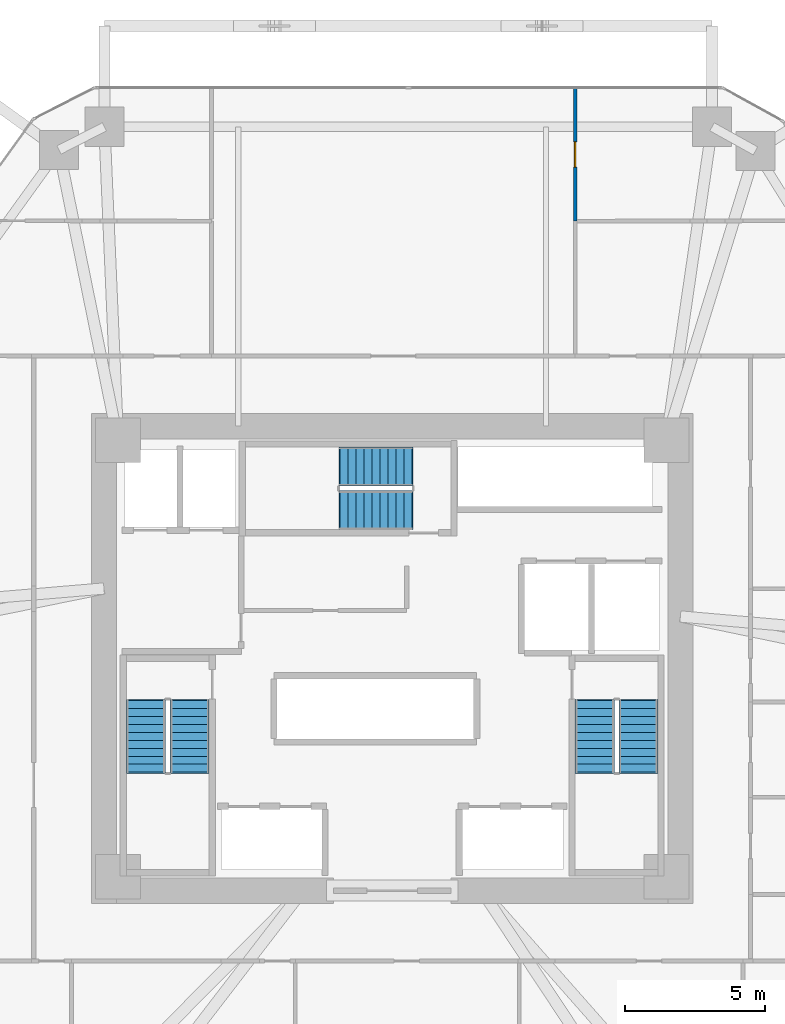
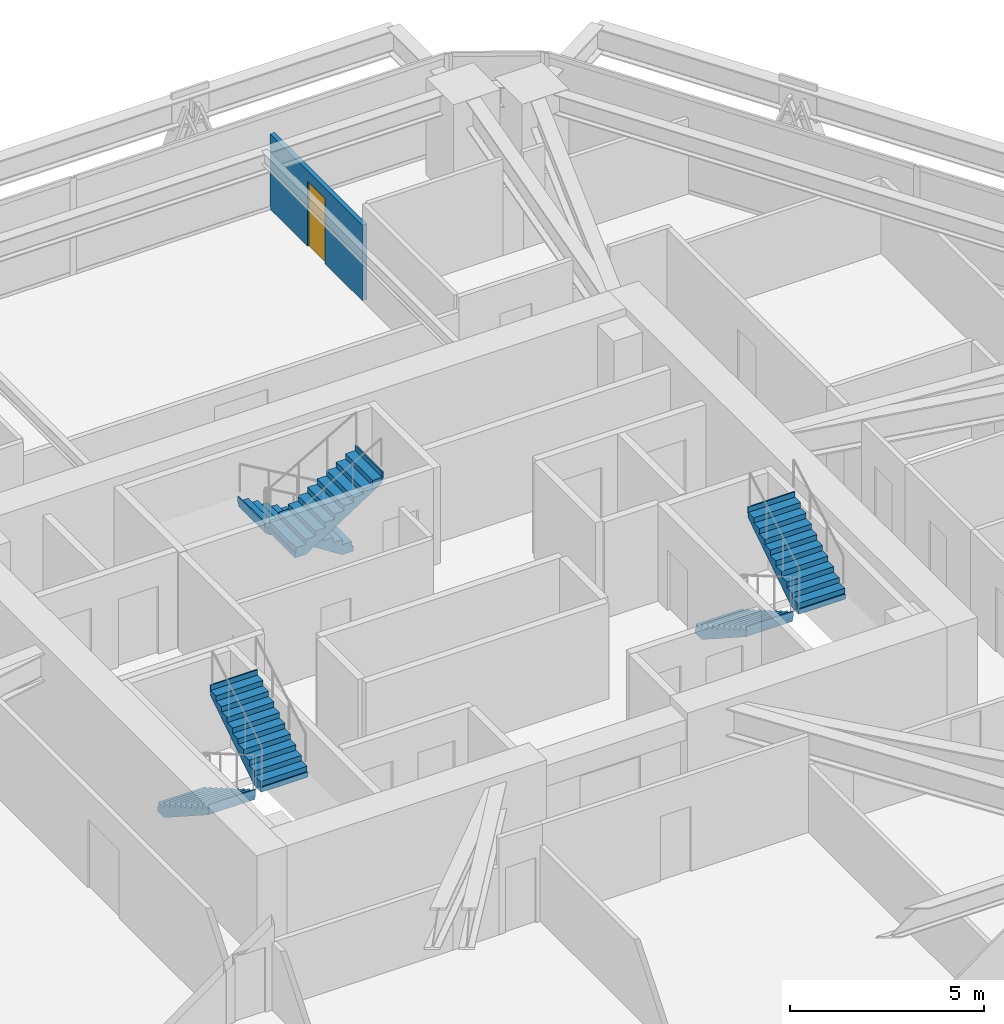
# One storey, part 16 of 17: 6 stair flights, 1 door, 1 wall, 1 opening, 3 elements without a shape of their own.
"""IFC4 building model written with IfcOpenShell, lengths in metres."""

from ifc_helpers import new_model, si_unit, direction, frame, frame_2d, origin, place, context, subcontext, project, spatial, polyline, rectangle, outline, extrude, source, transform, mapped, material, layer, layer_set, type_object, type_shapes, element, fill, aggregate, save


model = new_model("IFC4")

# Units and contexts
model_context = context("Model", 3, precision=1e-05, world=origin(), true_north=direction((0.0, 1.0)))
body_context = subcontext(model_context, "Body", "Model", "MODEL_VIEW")
ifc_project = project(units=[si_unit("LENGTHUNIT", "METRE"), si_unit("AREAUNIT", "SQUARE_METRE"), si_unit("VOLUMEUNIT", "CUBIC_METRE"), si_unit("PLANEANGLEUNIT", "RADIAN"), si_unit("MASSUNIT", "GRAM", prefix="KILO")], contexts=[model_context])

# Site, building, storey
site_placement = place(None, origin())
site = spatial("IfcSite", under=ifc_project, at=site_placement, CompositionType="ELEMENT")
building_placement = place(site_placement, origin())
building = spatial("IfcBuilding", under=site, at=building_placement, Name="Durnholm Broadcast Tower", CompositionType="ELEMENT")
storey_placement = place(building_placement, frame((0.0, 0.0, 58.800048828125)))
storey = spatial("IfcBuildingStorey", under=building, at=storey_placement, Name="L14", CompositionType="ELEMENT", Elevation=58.800048828125)

# Wall, opening, door
ifc_material_1 = material(Name="Gypsum Metal Stud Partition", Category="concrete")
ifc_layer_1 = layer(ifc_material_1, 0.135009765625)
ifc_layer_set_1 = layer_set([ifc_layer_1], Name="Gypsum Metal Stud Partition")
wall_type = type_object("IfcWallType", Name="WALL-PART-135", PredefinedType="PARTITIONING", material=ifc_layer_set_1)
wall_placement = place(storey_placement, frame((6.5400390625, 20.39990234375, 0.0), z_axis=(0.0, 0.0, 1.0), x_axis=(0.0, -1.0, 0.0)))
wall = element("IfcWall", 1, at=wall_placement, inside=storey, type_object=wall_type, Name="L14 room dividing partition 7.9", PredefinedType="PARTITIONING", context=body_context, shape_type="SweptSolid", body=[
    extrude(rectangle(XDim=4.77490234375, YDim=0.135009765625, at=frame_2d((2.387451171875, 0.0))), origin(), (0.0, 0.0, 1.0), 2.3798828125),
])
opening_placement = place(wall_placement, frame((1.9375, 0.0, 0.0)))
opening = element("IfcOpeningElement", 2, at=opening_placement, cuts=wall, Name="Opening DW-90L", PredefinedType="OPENING", context=body_context, shape_type="SweptSolid", body=[
    extrude(rectangle(XDim=0.89990234375, YDim=2.050048828125, at=frame_2d((0.449951171875, 1.02490234375))), frame((0.0, 0.07763671875, 0.0), z_axis=(0.0, -1.0, 0.0), x_axis=(1.0, 0.0, 0.0)), (0.0, 0.0, 1.0), 0.155029296875),
])
ifc_material_2 = material(Name="Laminate Restroom Door", Category="steel")
ifc_layer_2 = layer(ifc_material_2, 0.050048828125)
ifc_layer_set_2 = layer_set([ifc_layer_2], Name="Laminate Restroom Door")
door_type = type_object("IfcDoorType", Name="DOOR-WC-900L", OperationType="NOTDEFINED", PredefinedType="DOOR", material=ifc_layer_set_2)
shared_shape = source(origin(), body_context, "Body", "SweptSolid", [
    extrude(rectangle(XDim=0.89990234375, YDim=2.050048828125, at=frame_2d((0.449951171875, 1.02490234375))), frame((0.0, 0.02490234375, 0.0), z_axis=(0.0, -1.0, 0.0), x_axis=(1.0, 0.0, 0.0)), (0.0, 0.0, 1.0), 0.050048828125),
])
type_shapes(door_type, [shared_shape])
door_placement = place(opening_placement, origin())
door = element("IfcDoor", 3, at=door_placement, inside=storey, type_object=door_type, Name="L14 Broadcast Kitchen connecting door", OperationType="SINGLE_SWING_LEFT", OverallHeight=2.050048828125, OverallWidth=0.89990234375, PredefinedType="DOOR", context=body_context, shape_type="MappedRepresentation", body=[
    mapped(shared_shape, transform((0.0, 0.0, 0.0), x_axis=(1.0, 0.0, 0.0), y_axis=(0.0, 1.0, 0.0), z_axis=(0.0, 0.0, 1.0), scale=1.0)),
])
fill(opening, door)

# Stair, stair flights
ifc_material_3 = material(Name="Concrete C50/60", Category="concrete")
stair_type = type_object("IfcStairType", Name="STAIR-DL-20R1650", PredefinedType="HALF_TURN_STAIR", material=ifc_material_3)
stair_1_placement = place(storey_placement, origin())
stair_1 = element("IfcStair", 4, at=stair_1_placement, inside=storey, type_object=stair_type, Name="L14 ST-1", PredefinedType="HALF_TURN_STAIR")
stair_flight_type = type_object("IfcStairFlightType", Name="FLIGHT-DL-20R1650", PredefinedType="STRAIGHT", material=ifc_material_3)
stair_flight_1_placement = place(storey_placement, frame((-8.800048828125, -1.5, 0.0), z_axis=(0.0, 0.0, 1.0), x_axis=(0.0, -1.0, 0.0)))
stair_flight_1 = element("IfcStairFlight", 5, at=stair_flight_1_placement, type_object=stair_flight_type, Name="ST-1 flight 1", NumberOfRisers=10, NumberOfTreads=9, PredefinedType="STRAIGHT", RiserHeight=0.165, TreadLength=0.285, context=body_context, shape_type="SweptSolid", body=[
    extrude(outline(polyline([(-0.0400390625, -0.14990234375), (-0.0400390625, 0.0), (0.0, 0.0), (0.0, 0.1650390625), (0.284912109375, 0.1650390625), (0.284912109375, 0.330078125), (0.570068359375, 0.330078125), (0.570068359375, 0.4951171875), (0.85498046875, 0.4951171875), (0.85498046875, 0.659912109375), (1.139892578125, 0.659912109375), (1.139892578125, 0.824951171875), (1.425048828125, 0.824951171875), (1.425048828125, 0.989990234375), (1.7099609375, 0.989990234375), (1.7099609375, 1.155029296875), (1.9951171875, 1.155029296875), (1.9951171875, 1.320068359375), (2.280029296875, 1.320068359375), (2.280029296875, 1.485107421875), (2.56494140625, 1.485107421875), (2.56494140625, 1.64990234375), (2.60498046875, 1.64990234375), (2.60498046875, 1.5), (2.56494140625, 1.311767578125), (0.299072265625, -0.14990234375), (-0.0400390625, -0.14990234375)])), frame((0.0, 0.699951171875, 0.0), z_axis=(0.0, -1.0, 0.0), x_axis=(1.0, 0.0, 0.0)), (0.0, 0.0, 1.0), 1.39990234375),
])
stair_flight_2_placement = place(storey_placement, frame((-7.239990234375, -4.06494140625, 1.64990234375), z_axis=(0.0, 0.0, 1.0), x_axis=(0.0, 1.0, 0.0)))
stair_flight_2 = element("IfcStairFlight", 6, at=stair_flight_2_placement, type_object=stair_flight_type, Name="ST-1 flight 2", NumberOfRisers=10, NumberOfTreads=9, PredefinedType="STRAIGHT", RiserHeight=0.165, TreadLength=0.285, context=body_context, shape_type="SweptSolid", body=[
    extrude(outline(polyline([(-0.0400390625, -0.14990234375), (-0.0400390625, 0.0), (0.0, 0.0), (0.0, 0.1650390625), (0.284912109375, 0.1650390625), (0.284912109375, 0.330078125), (0.570068359375, 0.330078125), (0.570068359375, 0.4951171875), (0.85498046875, 0.4951171875), (0.85498046875, 0.659912109375), (1.139892578125, 0.659912109375), (1.139892578125, 0.824951171875), (1.425048828125, 0.824951171875), (1.425048828125, 0.989990234375), (1.7099609375, 0.989990234375), (1.7099609375, 1.155029296875), (1.9951171875, 1.155029296875), (1.9951171875, 1.320068359375), (2.280029296875, 1.320068359375), (2.280029296875, 1.485107421875), (2.56494140625, 1.485107421875), (2.56494140625, 1.64990234375), (2.60498046875, 1.64990234375), (2.60498046875, 1.5), (2.56494140625, 1.311767578125), (0.299072265625, -0.14990234375), (-0.0400390625, -0.14990234375)])), frame((0.0, 0.699951171875, 0.0), z_axis=(0.0, -1.0, 0.0), x_axis=(1.0, 0.0, 0.0)), (0.0, 0.0, 1.0), 1.39990234375),
])
aggregate(stair_1, [stair_flight_1, stair_flight_2])

stair_2_placement = place(storey_placement, origin())
stair_2 = element("IfcStair", 7, at=stair_2_placement, inside=storey, type_object=stair_type, Name="L14 ST-2", PredefinedType="HALF_TURN_STAIR")
stair_flight_3_placement = place(storey_placement, frame((7.239990234375, -1.5, 0.0), z_axis=(0.0, 0.0, 1.0), x_axis=(0.0, -1.0, 0.0)))
stair_flight_3 = element("IfcStairFlight", 8, at=stair_flight_3_placement, type_object=stair_flight_type, Name="ST-2 flight 1", NumberOfRisers=10, NumberOfTreads=9, PredefinedType="STRAIGHT", RiserHeight=0.165, TreadLength=0.285, context=body_context, shape_type="SweptSolid", body=[
    extrude(outline(polyline([(-0.0400390625, -0.14990234375), (-0.0400390625, 0.0), (0.0, 0.0), (0.0, 0.1650390625), (0.284912109375, 0.1650390625), (0.284912109375, 0.330078125), (0.570068359375, 0.330078125), (0.570068359375, 0.4951171875), (0.85498046875, 0.4951171875), (0.85498046875, 0.659912109375), (1.139892578125, 0.659912109375), (1.139892578125, 0.824951171875), (1.425048828125, 0.824951171875), (1.425048828125, 0.989990234375), (1.7099609375, 0.989990234375), (1.7099609375, 1.155029296875), (1.9951171875, 1.155029296875), (1.9951171875, 1.320068359375), (2.280029296875, 1.320068359375), (2.280029296875, 1.485107421875), (2.56494140625, 1.485107421875), (2.56494140625, 1.64990234375), (2.60498046875, 1.64990234375), (2.60498046875, 1.5), (2.56494140625, 1.311767578125), (0.299072265625, -0.14990234375), (-0.0400390625, -0.14990234375)])), frame((0.0, 0.699951171875, 0.0), z_axis=(0.0, -1.0, 0.0), x_axis=(1.0, 0.0, 0.0)), (0.0, 0.0, 1.0), 1.39990234375),
])
stair_flight_4_placement = place(storey_placement, frame((8.800048828125, -4.06494140625, 1.64990234375), z_axis=(0.0, 0.0, 1.0), x_axis=(0.0, 1.0, 0.0)))
stair_flight_4 = element("IfcStairFlight", 9, at=stair_flight_4_placement, type_object=stair_flight_type, Name="ST-2 flight 2", NumberOfRisers=10, NumberOfTreads=9, PredefinedType="STRAIGHT", RiserHeight=0.165, TreadLength=0.285, context=body_context, shape_type="SweptSolid", body=[
    extrude(outline(polyline([(-0.0400390625, -0.14990234375), (-0.0400390625, 0.0), (0.0, 0.0), (0.0, 0.1650390625), (0.284912109375, 0.1650390625), (0.284912109375, 0.330078125), (0.570068359375, 0.330078125), (0.570068359375, 0.4951171875), (0.85498046875, 0.4951171875), (0.85498046875, 0.659912109375), (1.139892578125, 0.659912109375), (1.139892578125, 0.824951171875), (1.425048828125, 0.824951171875), (1.425048828125, 0.989990234375), (1.7099609375, 0.989990234375), (1.7099609375, 1.155029296875), (1.9951171875, 1.155029296875), (1.9951171875, 1.320068359375), (2.280029296875, 1.320068359375), (2.280029296875, 1.485107421875), (2.56494140625, 1.485107421875), (2.56494140625, 1.64990234375), (2.60498046875, 1.64990234375), (2.60498046875, 1.5), (2.56494140625, 1.311767578125), (0.299072265625, -0.14990234375), (-0.0400390625, -0.14990234375)])), frame((0.0, 0.699951171875, 0.0), z_axis=(0.0, -1.0, 0.0), x_axis=(1.0, 0.0, 0.0)), (0.0, 0.0, 1.0), 1.39990234375),
])
aggregate(stair_2, [stair_flight_3, stair_flight_4])

stair_3_placement = place(storey_placement, origin())
stair_3 = element("IfcStair", 10, at=stair_3_placement, inside=storey, type_object=stair_type, Name="L14 ST-3", PredefinedType="HALF_TURN_STAIR")
stair_flight_5_placement = place(storey_placement, frame((0.699951171875, 6.860107421875, 0.0), z_axis=(0.0, 0.0, 1.0), x_axis=(-1.0, 0.0, 0.0)))
stair_flight_5 = element("IfcStairFlight", 11, at=stair_flight_5_placement, type_object=stair_flight_type, Name="ST-3 flight 1", NumberOfRisers=10, NumberOfTreads=9, PredefinedType="STRAIGHT", RiserHeight=0.165, TreadLength=0.285, context=body_context, shape_type="SweptSolid", body=[
    extrude(outline(polyline([(-0.0400390625, -0.14990234375), (-0.0400390625, 0.0), (0.0, 0.0), (0.0, 0.1650390625), (0.284912109375, 0.1650390625), (0.284912109375, 0.330078125), (0.570068359375, 0.330078125), (0.570068359375, 0.4951171875), (0.85498046875, 0.4951171875), (0.85498046875, 0.659912109375), (1.139892578125, 0.659912109375), (1.139892578125, 0.824951171875), (1.425048828125, 0.824951171875), (1.425048828125, 0.989990234375), (1.7099609375, 0.989990234375), (1.7099609375, 1.155029296875), (1.9951171875, 1.155029296875), (1.9951171875, 1.320068359375), (2.280029296875, 1.320068359375), (2.280029296875, 1.485107421875), (2.56494140625, 1.485107421875), (2.56494140625, 1.64990234375), (2.60498046875, 1.64990234375), (2.60498046875, 1.5), (2.56494140625, 1.311767578125), (0.299072265625, -0.14990234375), (-0.0400390625, -0.14990234375)])), frame((0.0, 0.699951171875, 0.0), z_axis=(0.0, -1.0, 0.0), x_axis=(1.0, 0.0, 0.0)), (0.0, 0.0, 1.0), 1.39990234375),
])
stair_flight_6_placement = place(storey_placement, frame((-1.864990234375, 5.300048828125, 1.64990234375), z_axis=(0.0, 0.0, 1.0), x_axis=(1.0, 0.0, 0.0)))
stair_flight_6 = element("IfcStairFlight", 12, at=stair_flight_6_placement, type_object=stair_flight_type, Name="ST-3 flight 2", NumberOfRisers=10, NumberOfTreads=9, PredefinedType="STRAIGHT", RiserHeight=0.165, TreadLength=0.285, context=body_context, shape_type="SweptSolid", body=[
    extrude(outline(polyline([(-0.0400390625, -0.14990234375), (-0.0400390625, 0.0), (0.0, 0.0), (0.0, 0.1650390625), (0.284912109375, 0.1650390625), (0.284912109375, 0.330078125), (0.570068359375, 0.330078125), (0.570068359375, 0.4951171875), (0.85498046875, 0.4951171875), (0.85498046875, 0.659912109375), (1.139892578125, 0.659912109375), (1.139892578125, 0.824951171875), (1.425048828125, 0.824951171875), (1.425048828125, 0.989990234375), (1.7099609375, 0.989990234375), (1.7099609375, 1.155029296875), (1.9951171875, 1.155029296875), (1.9951171875, 1.320068359375), (2.280029296875, 1.320068359375), (2.280029296875, 1.485107421875), (2.56494140625, 1.485107421875), (2.56494140625, 1.64990234375), (2.60498046875, 1.64990234375), (2.60498046875, 1.5), (2.56494140625, 1.311767578125), (0.299072265625, -0.14990234375), (-0.0400390625, -0.14990234375)])), frame((0.0, 0.699951171875, 0.0), z_axis=(0.0, -1.0, 0.0), x_axis=(1.0, 0.0, 0.0)), (0.0, 0.0, 1.0), 1.39990234375),
])
aggregate(stair_3, [stair_flight_5, stair_flight_6])

save(model, "model.ifc")
